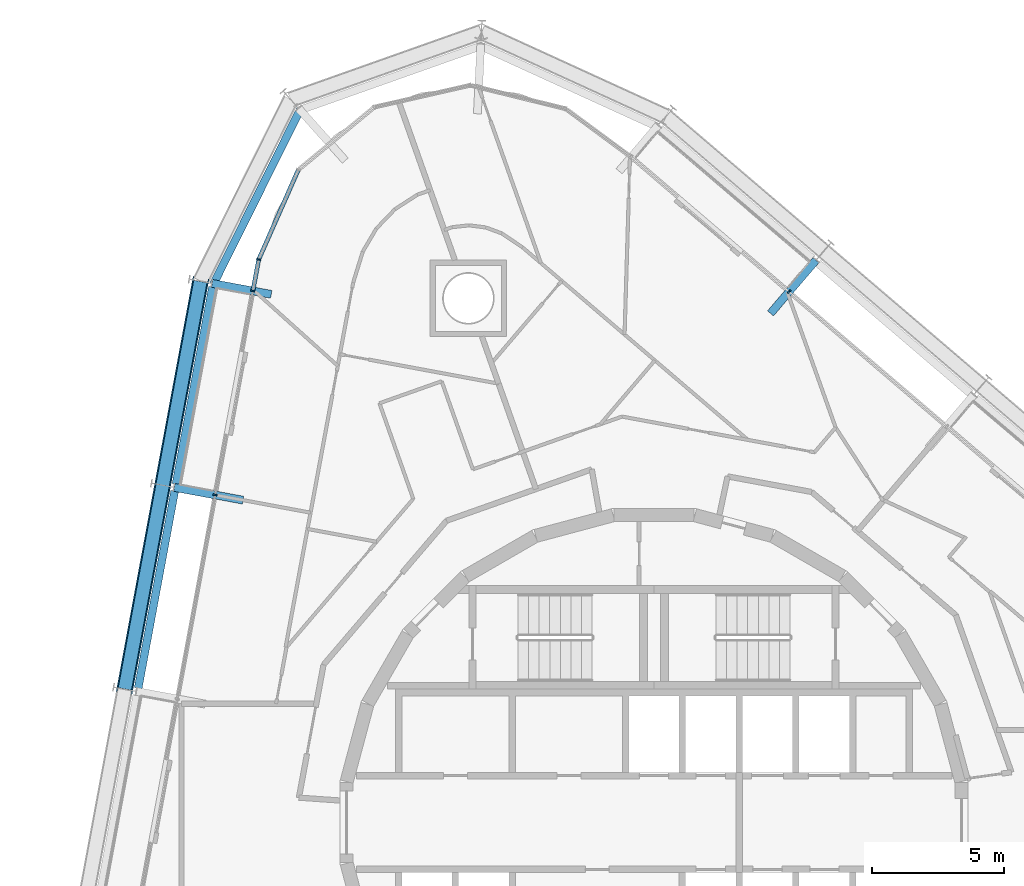
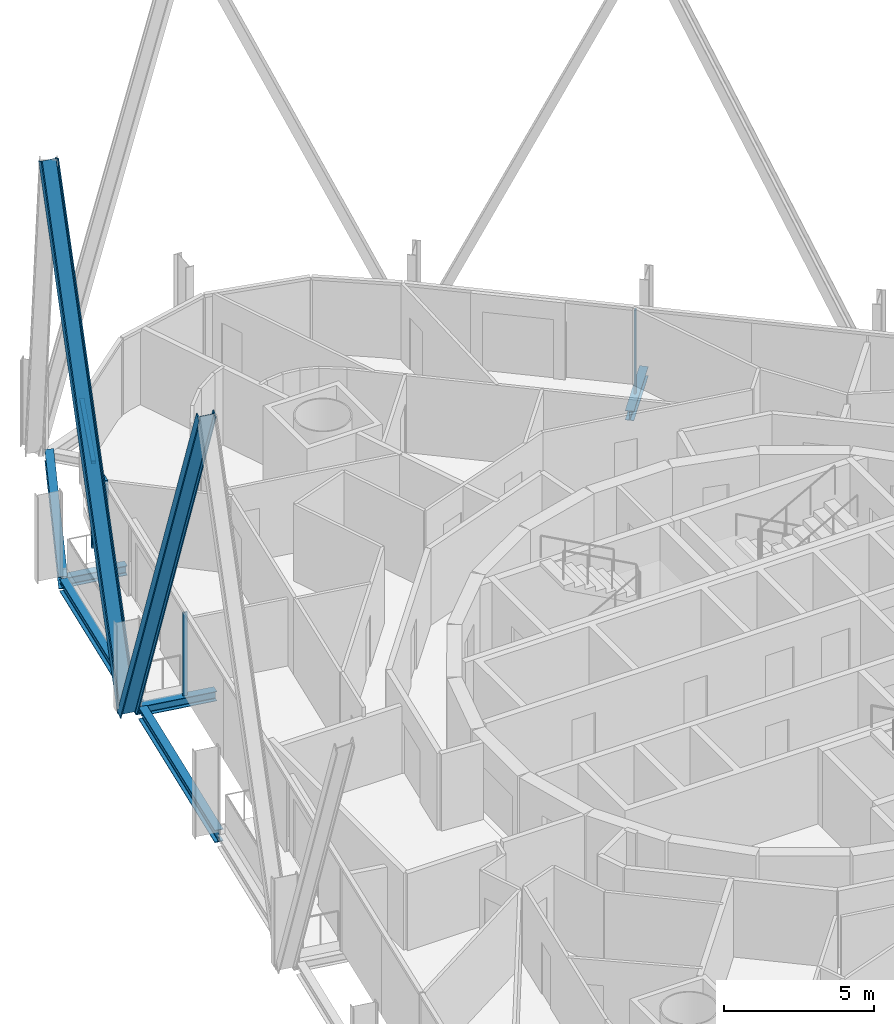
# One storey, part 6 of 17: 8 members, 6 beams, 3 elements without a shape of their own.
"""IFC4 building model written with IfcOpenShell, lengths in metres."""

from ifc_helpers import new_model, si_unit, direction, frame, origin, origin_2d, place, context, subcontext, project, spatial, rectangle, i_section, extrude, material, layer, layer_set, material_profile, profile_set, type_object, element, aggregate, save


model = new_model("IFC4")

# Units and contexts
model_context = context("Model", 3, precision=1e-05, world=origin(), true_north=direction((0.0, 1.0)))
body_context = subcontext(model_context, "Body", "Model", "MODEL_VIEW")
ifc_project = project(units=[si_unit("LENGTHUNIT", "METRE"), si_unit("AREAUNIT", "SQUARE_METRE"), si_unit("VOLUMEUNIT", "CUBIC_METRE"), si_unit("PLANEANGLEUNIT", "RADIAN"), si_unit("MASSUNIT", "GRAM", prefix="KILO")], contexts=[model_context])

# Site, building, storey
site_placement = place(None, origin())
site = spatial("IfcSite", under=ifc_project, at=site_placement, CompositionType="ELEMENT")
building_placement = place(site_placement, origin())
building = spatial("IfcBuilding", under=site, at=building_placement, Name="Spindle Arch Residences", CompositionType="ELEMENT")
storey_placement = place(building_placement, frame((0.0, 0.0, 165.699951171875)))
storey = spatial("IfcBuildingStorey", under=building, at=storey_placement, Name="L41", CompositionType="ELEMENT", Elevation=165.699951171875)

# Curtain wall, member
ifc_material_1 = material(Name="Aluminium bronze unitised frame with tinted glass", Category="aluminium")
ifc_layer_1 = layer(ifc_material_1, 0.159912109375)
ifc_layer_set_1 = layer_set([ifc_layer_1], Name="CW-C typical residential unitised wall")
curtain_wall_type_1 = type_object("IfcCurtainWallType", Name="CW-C typical residential unitised wall", PredefinedType="NOTDEFINED", material=ifc_layer_set_1)
curtain_wall_1_placement = place(storey_placement, origin())
curtain_wall_1 = element("IfcCurtainWall", 1, at=curtain_wall_1_placement, inside=storey, type_object=curtain_wall_type_1, Name="CW-C L41 run 2", PredefinedType="NOTDEFINED")
ifc_material_2 = material(Name="Aluminium bronze anodised mullion", Category="aluminium")
ifc_material_profile_1 = material_profile(ifc_material_2, rectangle(XDim=0.159912109375, YDim=0.06005859375, at=origin_2d()), Name="MU 60x160")
ifc_profile_set_1 = profile_set([ifc_material_profile_1], Name="Aluminium bronze anodised mullion")
member_type_1 = type_object("IfcMemberType", Name="Bronze mullion 60x160", PredefinedType="MULLION", material=ifc_profile_set_1)
member_1_placement = place(storey_placement, frame((5.115234375, 20.10888671875, -0.3798828125), z_axis=(0.0, 0.0, 1.0), x_axis=(-0.64944804833, -0.7604059656, 0.0)))
member_1 = element("IfcMember", 2, at=member_1_placement, type_object=member_type_1, Name="CW-C mullion 08", PredefinedType="MULLION", context=body_context, shape_type="SweptSolid", body=[
    extrude(rectangle(XDim=0.159912109375, YDim=0.06005859375, at=origin_2d()), origin(), (0.0, 0.0, 1.0), 3.3798828125),
])
aggregate(curtain_wall_1, [member_1])

ifc_material_3 = material(Name="Aluminium bronze unitised frame with tinted glass", Category="aluminium")
ifc_layer_2 = layer(ifc_material_3, 0.159912109375)
ifc_layer_set_2 = layer_set([ifc_layer_2], Name="CW-D corner wall on the fillet arcs")
curtain_wall_type_2 = type_object("IfcCurtainWallType", Name="CW-D corner wall on the fillet arcs", PredefinedType="NOTDEFINED", material=ifc_layer_set_2)
curtain_wall_2_placement = place(storey_placement, origin())
curtain_wall_2 = element("IfcCurtainWall", 3, at=curtain_wall_2_placement, inside=storey, type_object=curtain_wall_type_2, Name="CW-D L41 run 3", PredefinedType="NOTDEFINED")
member_2_placement = place(storey_placement, frame((-14.9765625, 21.330078125, -0.3798828125), z_axis=(0.0, 0.0, 1.0), x_axis=(0.983254907564, -0.182235525492, 0.0)))
member_2 = element("IfcMember", 4, at=member_2_placement, type_object=member_type_1, Name="CW-D mullion 05", PredefinedType="MULLION", context=body_context, shape_type="SweptSolid", body=[
    extrude(rectangle(XDim=0.159912109375, YDim=0.06005859375, at=origin_2d()), origin(), (0.0, 0.0, 1.0), 3.3798828125),
])

# Curtain wall, members
curtain_wall_3_placement = place(storey_placement, origin())
curtain_wall_3 = element("IfcCurtainWall", 5, at=curtain_wall_3_placement, inside=storey, type_object=curtain_wall_type_1, Name="CW-C L41 run 4", PredefinedType="NOTDEFINED")
member_3_placement = place(storey_placement, frame((-15.19775390625, 20.136962890625, -0.3798828125), z_axis=(0.0, 0.0, 1.0), x_axis=(0.983254907564, -0.182235525492, 0.0)))
member_3 = element("IfcMember", 6, at=member_3_placement, type_object=member_type_1, Name="CW-C mullion 12", PredefinedType="MULLION", context=body_context, shape_type="SweptSolid", body=[
    extrude(rectangle(XDim=0.159912109375, YDim=0.06005859375, at=origin_2d()), origin(), (0.0, 0.0, 1.0), 3.3798828125),
])
member_4_placement = place(storey_placement, frame((-16.630126953125, 12.408447265625, -0.3798828125), z_axis=(0.0, 0.0, 1.0), x_axis=(0.983254907564, -0.182235525492, 0.0)))
member_4 = element("IfcMember", 7, at=member_4_placement, type_object=member_type_1, Name="CW-C mullion 13", PredefinedType="MULLION", context=body_context, shape_type="SweptSolid", body=[
    extrude(rectangle(XDim=0.159912109375, YDim=0.06005859375, at=origin_2d()), origin(), (0.0, 0.0, 1.0), 3.3798828125),
])
aggregate(curtain_wall_3, [member_3, member_4])

# Member
ifc_material_4 = material(Name="Aluminium bronze anodised transom", Category="aluminium")
ifc_material_profile_2 = material_profile(ifc_material_4, rectangle(XDim=0.159912109375, YDim=0.1201171875, at=origin_2d()), Name="TR 120x160")
ifc_profile_set_2 = profile_set([ifc_material_profile_2], Name="Aluminium bronze anodised transom")
member_type_2 = type_object("IfcMemberType", Name="Bronze transom 120x160", PredefinedType="USERDEFINED", material=ifc_profile_set_2)
member_5_placement = place(storey_placement, frame((-13.48291015625, 24.711669921875, 3.06005859375), z_axis=(-0.404067984384, -0.914728956575, 0.0), x_axis=(0.914728956575, -0.404067984384, 0.0)))
member_5 = element("IfcMember", 8, at=member_5_placement, type_object=member_type_2, Name="CW-D transom 04", ObjectType="TRANSOM", PredefinedType="USERDEFINED", context=body_context, shape_type="SweptSolid", body=[
    extrude(rectangle(XDim=0.159912109375, YDim=0.1201171875, at=origin_2d()), origin(), (0.0, 0.0, 1.0), 3.6669921875),
])

member_6_placement = place(storey_placement, frame((-14.982177734375, 21.300537109375, 3.06005859375), z_axis=(-0.182256018308, -0.983251109224, 0.0), x_axis=(0.983251109224, -0.182256018308, 0.0)))
member_6 = element("IfcMember", 9, at=member_6_placement, type_object=member_type_2, Name="CW-D transom 05", ObjectType="TRANSOM", PredefinedType="USERDEFINED", context=body_context, shape_type="SweptSolid", body=[
    extrude(rectangle(XDim=0.159912109375, YDim=0.1201171875, at=origin_2d()), origin(), (0.0, 0.0, 1.0), 1.1533203125),
])

aggregate(curtain_wall_2, [member_5, member_2, member_6])

# Members
ifc_material_5 = material(Name="Steel S460ML, intumescent coating R 240", Category="steel")
ifc_material_profile_3 = material_profile(ifc_material_5, i_section(OverallWidth=0.304931640625, OverallDepth=0.6201171875, WebThickness=0.02099609375, FlangeThickness=0.0400390625, FilletRadius=0.027099609375, at=origin_2d()), Name="HEM 600")
ifc_profile_set_3 = profile_set([ifc_material_profile_3], Name="Steel S460ML, intumescent coating R 240")
member_type_3 = type_object("IfcMemberType", Name="Diagrid diagonal HEM 600", PredefinedType="BRACE", material=ifc_profile_set_3)
for number, where, z_axis, x_axis, name in (
    (10, (-18.6162109375, 12.776611328125, -0.6298828125), (0.075478388309, 0.407251382358, 0.910191916282), (-0.165866765554, -0.894951138638, 0.414186764074), "Diagrid diagonal 4.2.13"),
    (11, (-18.6162109375, 12.776611328125, -0.6298828125), (-0.075478388309, -0.407251382358, 0.910191916282), (0.165866765554, 0.894951138638, 0.414186764074), "Diagrid diagonal 4.2.14"),
):
    element("IfcMember", number, at=place(storey_placement, frame(where, z_axis=z_axis, x_axis=x_axis)), inside=storey, type_object=member_type_3, Name=name, PredefinedType="BRACE", context=body_context, shape_type="SweptSolid", body=[
        extrude(i_section(OverallWidth=0.304931640625, OverallDepth=0.6201171875, WebThickness=0.02099609375, FlangeThickness=0.0400390625, FilletRadius=0.027099609375, at=origin_2d()), origin(), (0.0, 0.0, 1.0), 18.977294921875),
    ])

# Beams
ifc_material_6 = material(Name="Steel S460ML, intumescent coating R 120", Category="steel")
ifc_material_profile_4 = material_profile(ifc_material_6, i_section(OverallWidth=0.300048828125, OverallDepth=0.5, WebThickness=0.014404296875, FlangeThickness=0.028076171875, FilletRadius=0.027099609375, at=origin_2d()), Name="HEB 500")
ifc_profile_set_4 = profile_set([ifc_material_profile_4], Name="Steel S460ML, intumescent coating R 120")
beam_type_1 = type_object("IfcBeamType", Name="Exoskeleton edge beam HEB 500", PredefinedType="BEAM", material=ifc_profile_set_4)
beam_1_placement = place(storey_placement, frame((-13.39404296875, 27.031005859375, -0.6298828125), z_axis=(-0.445068669434, -0.895496443035, 0.0), x_axis=(0.895496443035, -0.445068669434, 0.0)))
element("IfcBeam", 12, at=beam_1_placement, inside=storey, type_object=beam_type_1, Name="Exoskeleton edge beam 12", PredefinedType="BEAM", context=body_context, shape_type="SweptSolid", body=[
    extrude(i_section(OverallWidth=0.300048828125, OverallDepth=0.5, WebThickness=0.014404296875, FlangeThickness=0.028076171875, FilletRadius=0.027099609375, at=origin_2d()), origin(), (0.0, 0.0, 1.0), 7.42578125),
])
for number, where, z_axis, x_axis, name in (
    (13, (-16.725830078125, 20.2880859375, -0.6298828125), (-0.182234195466, -0.983255154069, 0.0), (0.983255154069, -0.182234195466, 0.0), "Exoskeleton edge beam 13"),
    (14, (-18.158203125, 12.5595703125, -0.6298828125), (-0.182234195466, -0.983255154069, 0.0), (0.983255154069, -0.182234195466, 0.0), "Exoskeleton edge beam 14"),
):
    element("IfcBeam", number, at=place(storey_placement, frame(where, z_axis=z_axis, x_axis=x_axis)), inside=storey, type_object=beam_type_1, Name=name, PredefinedType="BEAM", context=body_context, shape_type="SweptSolid", body=[
        extrude(i_section(OverallWidth=0.300048828125, OverallDepth=0.5, WebThickness=0.014404296875, FlangeThickness=0.028076171875, FilletRadius=0.027099609375, at=origin_2d()), origin(), (0.0, 0.0, 1.0), 7.60009765625),
    ])
ifc_material_7 = material(Name="Steel S460ML, intumescent coating R 120", Category="steel")
ifc_material_profile_5 = material_profile(ifc_material_7, i_section(OverallWidth=0.300048828125, OverallDepth=0.389892578125, WebThickness=0.010986328125, FlangeThickness=0.01904296875, FilletRadius=0.027099609375, at=origin_2d()), Name="HEA 400")
ifc_profile_set_5 = profile_set([ifc_material_profile_5], Name="Steel S460ML, intumescent coating R 120")
beam_type_2 = type_object("IfcBeamType", Name="Floor outrigger HEA 400", PredefinedType="BEAM", material=ifc_profile_set_5)
beam_2_placement = place(storey_placement, frame((6.134765625, 21.302734375, -0.574951171875), z_axis=(-0.64941704551, -0.760432443417, 0.0), x_axis=(0.760432443417, -0.64941704551, 0.0)))
element("IfcBeam", 15, at=beam_2_placement, inside=storey, type_object=beam_type_2, Name="Floor outrigger 9", PredefinedType="BEAM", context=body_context, shape_type="SweptSolid", body=[
    extrude(i_section(OverallWidth=0.300048828125, OverallDepth=0.389892578125, WebThickness=0.010986328125, FlangeThickness=0.01904296875, FilletRadius=0.027099609375, at=origin_2d()), origin(), (0.0, 0.0, 1.0), 2.64990234375),
])
beam_3_placement = place(storey_placement, frame((-16.741455078125, 20.423095703125, -0.574951171875), z_axis=(0.983259266178, -0.182212006947, 0.0), x_axis=(0.182212006947, 0.983259266178, 0.0)))
element("IfcBeam", 16, at=beam_3_placement, inside=storey, type_object=beam_type_2, Name="Floor outrigger 13", PredefinedType="BEAM", context=body_context, shape_type="SweptSolid", body=[
    extrude(i_section(OverallWidth=0.300048828125, OverallDepth=0.389892578125, WebThickness=0.010986328125, FlangeThickness=0.01904296875, FilletRadius=0.027099609375, at=origin_2d()), origin(), (0.0, 0.0, 1.0), 2.279052734375),
])
beam_4_placement = place(storey_placement, frame((-18.173828125, 12.694580078125, -0.574951171875), z_axis=(0.98325694826, -0.182224514537, 0.0), x_axis=(0.182224514537, 0.98325694826, 0.0)))
element("IfcBeam", 17, at=beam_4_placement, inside=storey, type_object=beam_type_2, Name="Floor outrigger 14", PredefinedType="BEAM", context=body_context, shape_type="SweptSolid", body=[
    extrude(i_section(OverallWidth=0.300048828125, OverallDepth=0.389892578125, WebThickness=0.010986328125, FlangeThickness=0.01904296875, FilletRadius=0.027099609375, at=origin_2d()), origin(), (0.0, 0.0, 1.0), 2.650146484375),
])

save(model, "model.ifc")
